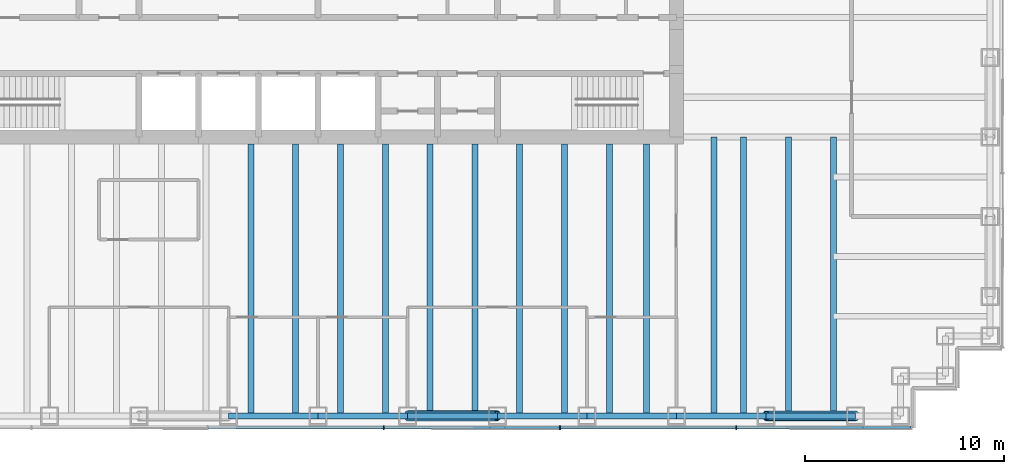
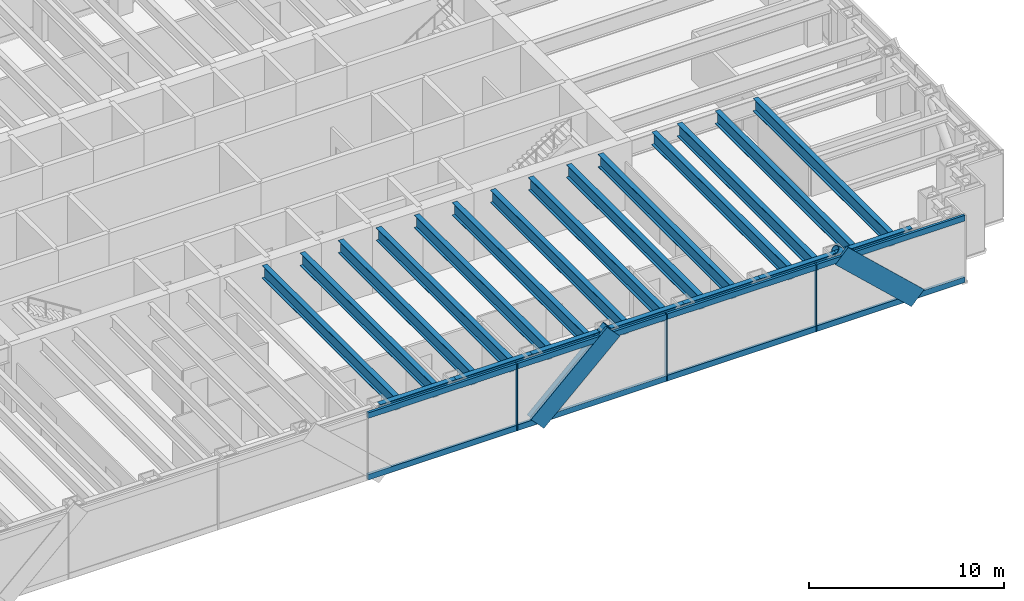
# One storey, part 4 of 15: 21 beams, 15 members, 1 element without a shape of its own.
"""IFC4 building model written with IfcOpenShell, lengths in metres."""

from ifc_helpers import new_model, si_unit, direction, frame, origin, origin_2d, place, context, subcontext, project, spatial, rectangle, hollow_circle, i_section, extrude, material, material_profile, profile_set, type_object, element, aggregate, save


model = new_model("IFC4")

# Units and contexts
model_context = context("Model", 3, precision=1e-05, world=origin(), true_north=direction((0.0, 1.0)))
body_context = subcontext(model_context, "Body", "Model", "MODEL_VIEW")
ifc_project = project(units=[si_unit("LENGTHUNIT", "METRE"), si_unit("AREAUNIT", "SQUARE_METRE"), si_unit("VOLUMEUNIT", "CUBIC_METRE"), si_unit("PLANEANGLEUNIT", "RADIAN"), si_unit("MASSUNIT", "GRAM", prefix="KILO")], contexts=[model_context])

# Site, building, storey
site_placement = place(None, origin())
site = spatial("IfcSite", under=ifc_project, at=site_placement, CompositionType="ELEMENT")
building_placement = place(site_placement, origin())
building = spatial("IfcBuilding", under=site, at=building_placement, Name="Rheinbord Bourse Tower", CompositionType="ELEMENT")
storey_placement = place(building_placement, frame((0.0, 0.0, 279.5)))
storey = spatial("IfcBuildingStorey", under=building, at=storey_placement, Name="L63", CompositionType="ELEMENT", Elevation=279.5)

# Curtain wall, members
ifc_material_1 = material(Name="Dark glass and black aluminium", Category="aluminium")
curtain_wall_type = type_object("IfcCurtainWallType", Name="CW3 DARK GLASS CURTAIN WALL", PredefinedType="USERDEFINED", material=ifc_material_1)
curtain_wall_placement = place(storey_placement, origin())
curtain_wall = element("IfcCurtainWall", 1, at=curtain_wall_placement, inside=storey, type_object=curtain_wall_type, Name="Curtain wall CW3 S L63", ObjectType="UNITISED CURTAIN WALL", PredefinedType="USERDEFINED")
ifc_material_2 = material(Name="Black anodised aluminium", Category="aluminium")
ifc_material_profile_1 = material_profile(ifc_material_2, rectangle(XDim=0.14990234375, YDim=1.10791015625, at=origin_2d()), Name="CW3 DIAGONAL MULLION 1108x150")
ifc_profile_set_1 = profile_set([ifc_material_profile_1], Name="Black anodised aluminium")
member_type_1 = type_object("IfcMemberType", Name="CW3 BLACK DIAGONAL MULLION", PredefinedType="USERDEFINED", material=ifc_profile_set_1)
member_1_placement = place(storey_placement, frame((40.5, 1.39990234375, 0.0), z_axis=(0.73105922506, 0.0, 0.682314010889), x_axis=(0.0, 1.0, 0.0)))
member_1 = element("IfcMember", 2, at=member_1_placement, type_object=member_type_1, Name="CW3 diagonal mullion a", ObjectType="DIAGONAL MULLION", PredefinedType="USERDEFINED", context=body_context, shape_type="SweptSolid", body=[
    extrude(rectangle(XDim=0.14990234375, YDim=1.10791015625, at=origin_2d()), origin(), (0.0, 0.0, 1.0), 6.155517578125),
])
member_2_placement = place(storey_placement, frame((63.0, 1.39990234375, 0.0), z_axis=(-0.73105922506, 0.0, 0.682314010889), x_axis=(0.0, -1.0, 0.0)))
member_2 = element("IfcMember", 3, at=member_2_placement, type_object=member_type_1, Name="CW3 diagonal mullion c", ObjectType="DIAGONAL MULLION", PredefinedType="USERDEFINED", context=body_context, shape_type="SweptSolid", body=[
    extrude(rectangle(XDim=0.14990234375, YDim=1.10791015625, at=origin_2d()), origin(), (0.0, 0.0, 1.0), 6.155517578125),
])
ifc_material_3 = material(Name="Black anodised aluminium", Category="aluminium")
ifc_material_profile_2 = material_profile(ifc_material_3, rectangle(XDim=0.199951171875, YDim=0.06494140625, at=origin_2d()), Name="CW3 MULLION 65x200")
ifc_profile_set_2 = profile_set([ifc_material_profile_2], Name="Black anodised aluminium")
member_type_2 = type_object("IfcMemberType", Name="CW3 BLACK MULLION", PredefinedType="MULLION", material=ifc_profile_set_2)
member_3_placement = place(storey_placement, frame((39.300048828125, 1.39990234375, 0.0), z_axis=(0.0, 0.0, 1.0), x_axis=(0.0, 1.0, 0.0)))
member_3 = element("IfcMember", 4, at=member_3_placement, type_object=member_type_2, Name="CW3 mullion 5", PredefinedType="MULLION", context=body_context, shape_type="SweptSolid", body=[
    extrude(rectangle(XDim=0.199951171875, YDim=0.06494140625, at=origin_2d()), origin(), (0.0, 0.0, 1.0), 4.199951171875),
])
member_4_placement = place(storey_placement, frame((48.14990234375, 1.39990234375, 0.0), z_axis=(0.0, 0.0, 1.0), x_axis=(0.0, 1.0, 0.0)))
member_4 = element("IfcMember", 5, at=member_4_placement, type_object=member_type_2, Name="CW3 mullion 6", PredefinedType="MULLION", context=body_context, shape_type="SweptSolid", body=[
    extrude(rectangle(XDim=0.199951171875, YDim=0.06494140625, at=origin_2d()), origin(), (0.0, 0.0, 1.0), 4.199951171875),
])
member_5_placement = place(storey_placement, frame((57.0, 1.39990234375, 0.0), z_axis=(0.0, 0.0, 1.0), x_axis=(0.0, 1.0, 0.0)))
member_5 = element("IfcMember", 6, at=member_5_placement, type_object=member_type_2, Name="CW3 mullion 7", PredefinedType="MULLION", context=body_context, shape_type="SweptSolid", body=[
    extrude(rectangle(XDim=0.199951171875, YDim=0.06494140625, at=origin_2d()), origin(), (0.0, 0.0, 1.0), 4.199951171875),
])
ifc_material_4 = material(Name="Black anodised aluminium", Category="aluminium")
ifc_material_profile_3 = material_profile(ifc_material_4, rectangle(XDim=0.14990234375, YDim=0.35009765625, at=origin_2d()), Name="CW3 TRANSOM 350x150")
ifc_profile_set_3 = profile_set([ifc_material_profile_3], Name="Black anodised aluminium")
member_type_3 = type_object("IfcMemberType", Name="CW3 BLACK TRANSOM", PredefinedType="USERDEFINED", material=ifc_profile_set_3)
member_6_placement = place(storey_placement, frame((30.482421875, 1.39990234375, 0.175048828125), z_axis=(1.0, 0.0, 0.0), x_axis=(0.0, 1.0, 0.0)))
member_6 = element("IfcMember", 7, at=member_6_placement, type_object=member_type_3, Name="CW3 transom 4.1", ObjectType="TRANSOM", PredefinedType="USERDEFINED", context=body_context, shape_type="SweptSolid", body=[
    extrude(rectangle(XDim=0.14990234375, YDim=0.35009765625, at=origin_2d()), origin(), (0.0, 0.0, 1.0), 8.78515625),
])
member_7_placement = place(storey_placement, frame((30.482421875, 1.39990234375, 4.02490234375), z_axis=(1.0, 0.0, 0.0), x_axis=(0.0, 1.0, 0.0)))
member_7 = element("IfcMember", 8, at=member_7_placement, type_object=member_type_3, Name="CW3 transom 4.2", ObjectType="TRANSOM", PredefinedType="USERDEFINED", context=body_context, shape_type="SweptSolid", body=[
    extrude(rectangle(XDim=0.14990234375, YDim=0.35009765625, at=origin_2d()), origin(), (0.0, 0.0, 1.0), 8.78515625),
])
member_8_placement = place(storey_placement, frame((39.33251953125, 1.39990234375, 0.175048828125), z_axis=(1.0, 0.0, 0.0), x_axis=(0.0, 1.0, 0.0)))
member_8 = element("IfcMember", 9, at=member_8_placement, type_object=member_type_3, Name="CW3 transom 5.1", ObjectType="TRANSOM", PredefinedType="USERDEFINED", context=body_context, shape_type="SweptSolid", body=[
    extrude(rectangle(XDim=0.14990234375, YDim=0.35009765625, at=origin_2d()), origin(), (0.0, 0.0, 1.0), 8.784912109375),
])
member_9_placement = place(storey_placement, frame((39.33251953125, 1.39990234375, 4.02490234375), z_axis=(1.0, 0.0, 0.0), x_axis=(0.0, 1.0, 0.0)))
member_9 = element("IfcMember", 10, at=member_9_placement, type_object=member_type_3, Name="CW3 transom 5.2", ObjectType="TRANSOM", PredefinedType="USERDEFINED", context=body_context, shape_type="SweptSolid", body=[
    extrude(rectangle(XDim=0.14990234375, YDim=0.35009765625, at=origin_2d()), origin(), (0.0, 0.0, 1.0), 8.784912109375),
])
member_10_placement = place(storey_placement, frame((48.1826171875, 1.39990234375, 0.175048828125), z_axis=(1.0, 0.0, 0.0), x_axis=(0.0, 1.0, 0.0)))
member_10 = element("IfcMember", 11, at=member_10_placement, type_object=member_type_3, Name="CW3 transom 6.1", ObjectType="TRANSOM", PredefinedType="USERDEFINED", context=body_context, shape_type="SweptSolid", body=[
    extrude(rectangle(XDim=0.14990234375, YDim=0.35009765625, at=origin_2d()), origin(), (0.0, 0.0, 1.0), 8.784912109375),
])
member_11_placement = place(storey_placement, frame((48.1826171875, 1.39990234375, 4.02490234375), z_axis=(1.0, 0.0, 0.0), x_axis=(0.0, 1.0, 0.0)))
member_11 = element("IfcMember", 12, at=member_11_placement, type_object=member_type_3, Name="CW3 transom 6.2", ObjectType="TRANSOM", PredefinedType="USERDEFINED", context=body_context, shape_type="SweptSolid", body=[
    extrude(rectangle(XDim=0.14990234375, YDim=0.35009765625, at=origin_2d()), origin(), (0.0, 0.0, 1.0), 8.784912109375),
])
member_12_placement = place(storey_placement, frame((57.032470703125, 1.39990234375, 0.175048828125), z_axis=(1.0, 0.0, 0.0), x_axis=(0.0, 1.0, 0.0)))
member_12 = element("IfcMember", 13, at=member_12_placement, type_object=member_type_3, Name="CW3 transom 7.1", ObjectType="TRANSOM", PredefinedType="USERDEFINED", context=body_context, shape_type="SweptSolid", body=[
    extrude(rectangle(XDim=0.14990234375, YDim=0.35009765625, at=origin_2d()), origin(), (0.0, 0.0, 1.0), 8.75244140625),
])
member_13_placement = place(storey_placement, frame((57.032470703125, 1.39990234375, 4.02490234375), z_axis=(1.0, 0.0, 0.0), x_axis=(0.0, 1.0, 0.0)))
member_13 = element("IfcMember", 14, at=member_13_placement, type_object=member_type_3, Name="CW3 transom 7.2", ObjectType="TRANSOM", PredefinedType="USERDEFINED", context=body_context, shape_type="SweptSolid", body=[
    extrude(rectangle(XDim=0.14990234375, YDim=0.35009765625, at=origin_2d()), origin(), (0.0, 0.0, 1.0), 8.75244140625),
])
aggregate(curtain_wall, [member_3, member_4, member_5, member_6, member_7, member_8, member_9, member_10, member_11, member_12, member_13, member_1, member_2])

# Beams
ifc_material_5 = material(Name="Steel S460", Category="steel")
ifc_material_profile_4 = material_profile(ifc_material_5, i_section(OverallWidth=0.300048828125, OverallDepth=0.800048828125, WebThickness=0.017578125, FlangeThickness=0.032958984375, at=origin_2d()), Name="HEB 800")
ifc_profile_set_4 = profile_set([ifc_material_profile_4], Name="Steel S460")
beam_type_1 = type_object("IfcBeamType", Name="FLOOR BEAM HEB 800", PredefinedType="BEAM", material=ifc_profile_set_4)
for number, where, z_axis, x_axis, name in (
    (15, (32.625, 2.0, 3.639892578125), (0.0, 1.0, 0.0), (-1.0, 0.0, 0.0), "Floor beam S-31.5a L64"),
    (16, (34.875, 2.0, 3.639892578125), (0.0, 1.0, 0.0), (-1.0, 0.0, 0.0), "Floor beam S-31.5b L64"),
    (17, (37.125, 2.0, 3.639892578125), (0.0, 1.0, 0.0), (-1.0, 0.0, 0.0), "Floor beam S-36a L64"),
    (18, (39.375, 2.0, 3.639892578125), (0.0, 1.0, 0.0), (-1.0, 0.0, 0.0), "Floor beam S-36b L64"),
    (19, (41.625, 2.0, 3.639892578125), (0.0, 1.0, 0.0), (-1.0, 0.0, 0.0), "Floor beam S-40.5a L64"),
    (20, (43.875, 2.0, 3.639892578125), (0.0, 1.0, 0.0), (-1.0, 0.0, 0.0), "Floor beam S-40.5b L64"),
    (21, (46.125, 2.0, 3.639892578125), (0.0, 1.0, 0.0), (-1.0, 0.0, 0.0), "Floor beam S-45a L64"),
    (22, (48.375, 2.0, 3.639892578125), (0.0, 1.0, 0.0), (-1.0, 0.0, 0.0), "Floor beam S-45b L64"),
    (23, (50.625, 2.0, 3.639892578125), (0.0, 1.0, 0.0), (-1.0, 0.0, 0.0), "Floor beam S-49.5a L64"),
    (24, (52.5, 2.0, 3.639892578125), (0.0, 1.0, 0.0), (-1.0, 0.0, 0.0), "Floor beam S-49.5b L64"),
):
    element("IfcBeam", number, at=place(storey_placement, frame(where, z_axis=z_axis, x_axis=x_axis)), inside=storey, type_object=beam_type_1, Name=name, PredefinedType="BEAM", context=body_context, shape_type="SweptSolid", body=[
        extrude(i_section(OverallWidth=0.300048828125, OverallDepth=0.800048828125, WebThickness=0.017578125, FlangeThickness=0.032958984375, at=origin_2d()), origin(), (0.0, 0.0, 1.0), 13.64990234375),
    ])
for number, where, z_axis, x_axis, name in (
    (25, (55.875, 2.0, 3.639892578125), (0.0, 1.0, 0.0), (-1.0, 0.0, 0.0), "Floor beam S-54a L64"),
    (26, (57.375, 2.0, 3.639892578125), (0.0, 1.0, 0.0), (-1.0, 0.0, 0.0), "Floor beam S-54b L64"),
    (27, (59.625, 2.0, 3.639892578125), (0.0, 1.0, 0.0), (-1.0, 0.0, 0.0), "Floor beam S-58.5a L64"),
    (28, (61.875, 2.0, 3.639892578125), (0.0, 1.0, 0.0), (-1.0, 0.0, 0.0), "Floor beam S-58.5b L64"),
):
    element("IfcBeam", number, at=place(storey_placement, frame(where, z_axis=z_axis, x_axis=x_axis)), inside=storey, type_object=beam_type_1, Name=name, PredefinedType="BEAM", context=body_context, shape_type="SweptSolid", body=[
        extrude(i_section(OverallWidth=0.300048828125, OverallDepth=0.800048828125, WebThickness=0.017578125, FlangeThickness=0.032958984375, at=origin_2d()), origin(), (0.0, 0.0, 1.0), 14.0),
    ])

# Members
ifc_material_6 = material(Name="Steel S460", Category="steel")
ifc_material_profile_5 = material_profile(ifc_material_6, hollow_circle(Radius=0.25390625, WallThickness=0.030029296875, at=origin_2d()), Name="CHS 508x30")
ifc_profile_set_5 = profile_set([ifc_material_profile_5], Name="Steel S460")
member_type_4 = type_object("IfcMemberType", Name="MEGABRACE CHS 508x30", PredefinedType="BRACE", material=ifc_profile_set_5)
for number, where, z_axis, x_axis, name in (
    (29, (40.5, 2.0, 0.0), (0.73105922506, 0.0, 0.682314010889), (0.0, 1.0, 0.0), "Megabrace S face line a L63"),
    (30, (63.0, 2.0, 0.0), (-0.73105922506, 0.0, 0.682314010889), (0.0, -1.0, 0.0), "Megabrace S face line c L63"),
):
    element("IfcMember", number, at=place(storey_placement, frame(where, z_axis=z_axis, x_axis=x_axis)), inside=storey, type_object=member_type_4, Name=name, PredefinedType="BRACE", context=body_context, shape_type="SweptSolid", body=[
        extrude(hollow_circle(Radius=0.25390625, WallThickness=0.030029296875, at=origin_2d()), origin(), (0.0, 0.0, 1.0), 6.155517578125),
    ])

# Beams
ifc_material_7 = material(Name="Steel S460", Category="steel")
ifc_material_profile_6 = material_profile(ifc_material_7, i_section(OverallWidth=0.300048828125, OverallDepth=0.550048828125, WebThickness=0.014892578125, FlangeThickness=0.029052734375, at=origin_2d()), Name="HEB 550")
ifc_profile_set_6 = profile_set([ifc_material_profile_6], Name="Steel S460")
beam_type_2 = type_object("IfcBeamType", Name="SPANDREL HEB 550", PredefinedType="SPANDREL", material=ifc_profile_set_6)
for number, where, z_axis, x_axis, name in (
    (31, (31.5, 2.0, 3.764892578125), (1.0, 0.0, 0.0), (0.0, 1.0, 0.0), "Spandrel S-31.5-S-36 under L64"),
    (32, (36.0, 2.0, 3.764892578125), (1.0, 0.0, 0.0), (0.0, 1.0, 0.0), "Spandrel S-36-S-40.5 under L64"),
    (33, (40.5, 2.0, 3.764892578125), (1.0, 0.0, 0.0), (0.0, 1.0, 0.0), "Spandrel S-40.5-S-45 under L64"),
    (34, (45.0, 2.0, 3.764892578125), (1.0, 0.0, 0.0), (0.0, 1.0, 0.0), "Spandrel S-45-S-49.5 under L64"),
    (35, (49.5, 2.0, 3.764892578125), (1.0, 0.0, 0.0), (0.0, 1.0, 0.0), "Spandrel S-49.5-S-54 under L64"),
    (36, (54.0, 2.0, 3.764892578125), (1.0, 0.0, 0.0), (0.0, 1.0, 0.0), "Spandrel S-54-S-58.5 under L64"),
    (37, (58.5, 2.0, 3.764892578125), (1.0, 0.0, 0.0), (0.0, 1.0, 0.0), "Spandrel S-58.5-S-63 under L64"),
):
    element("IfcBeam", number, at=place(storey_placement, frame(where, z_axis=z_axis, x_axis=x_axis)), inside=storey, type_object=beam_type_2, Name=name, PredefinedType="SPANDREL", context=body_context, shape_type="SweptSolid", body=[
        extrude(i_section(OverallWidth=0.300048828125, OverallDepth=0.550048828125, WebThickness=0.014892578125, FlangeThickness=0.029052734375, at=origin_2d()), origin(), (0.0, 0.0, 1.0), 4.5),
    ])

save(model, "model.ifc")
